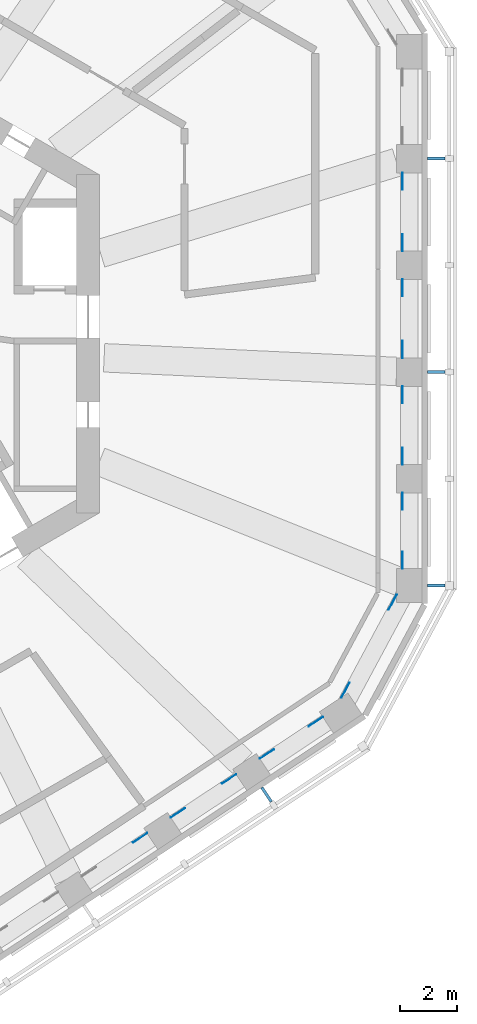
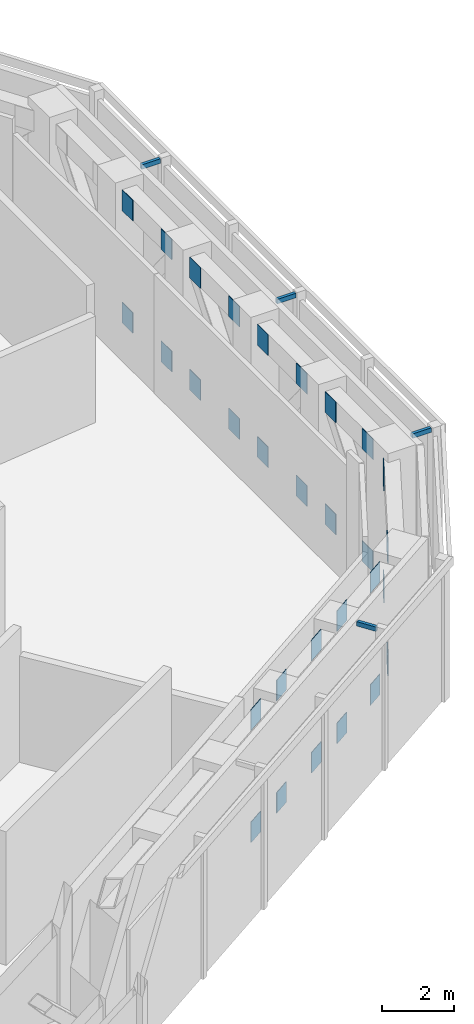
# One storey, part 12 of 15: 34 discrete accessories.
"""IFC4 building model written with IfcOpenShell, lengths in metres."""

import ifcopenshell
import ifcopenshell.guid

model = None  # the IFC model being written
_history = None  # IfcOwnerHistory: only IFC2X3 demands one
_inside = {}  # id of a spatial element -> (the spatial element, [elements in it])
_under = {}  # id of a project, library or spatial element -> (it, [spatial elements below it])
_declared = {}  # id of a project -> (the project, [libraries it declares])
_typed = {}  # id of a type object -> (the type object, [elements of that type])
_made_of = {}  # id of a material, layer set ... -> (it, [elements and type objects made of it])


def new_model(schema):
    """Start an empty IFC model of exactly this schema.

    Asked for "IFC4X3", IfcOpenShell would pick the latest addendum, in which some entities
    have other attributes; the version numbers below select the first issue.
    IFC2X3 requires an IfcOwnerHistory on every rooted entity: one is made here for all.
    """
    global model, _history
    if schema == "IFC4X3":
        model = ifcopenshell.file(schema_version=(4, 3, 0, 0))
    else:
        model = ifcopenshell.file(schema=schema)
    _inside.clear()
    _under.clear()
    _declared.clear()
    _typed.clear()
    _made_of.clear()
    _history = None
    if model.schema == "IFC2X3":
        org = make("IfcOrganization", Name="unknown")
        user = make(
            "IfcPersonAndOrganization",
            ThePerson=make("IfcPerson", FamilyName="unknown"),
            TheOrganization=org,
        )
        app = make(
            "IfcApplication",
            ApplicationDeveloper=org,
            Version="unknown",
            ApplicationFullName="unknown",
            ApplicationIdentifier="unknown",
        )
        _history = make(
            "IfcOwnerHistory",
            OwningUser=user,
            OwningApplication=app,
            ChangeAction="ADDED",
            CreationDate=0,
        )
    return model


def make(cls, **values):
    """One entity of the class cls with the attributes given. An attribute that is None is left unset."""
    return model.create_entity(
        cls, **{name: value for name, value in values.items() if value is not None}
    )


def rooted(cls, **values):
    """An entity with a GlobalId (a new one), such as an element, a storey or a relation."""
    return make(cls, GlobalId=ifcopenshell.guid.new(), OwnerHistory=_history, **values)


def si_unit(unit_type, name, prefix=None):
    """IfcSIUnit, for example si_unit("LENGTHUNIT", "METRE", prefix="MILLI")."""
    return make("IfcSIUnit", UnitType=unit_type, Prefix=prefix, Name=name)


def assignment(units):
    """IfcUnitAssignment: the units of a project."""
    return None if units is None else make("IfcUnitAssignment", Units=units)


def point(xyz):
    """IfcCartesianPoint."""
    return None if xyz is None else make("IfcCartesianPoint", Coordinates=xyz)


def direction(xyz):
    """IfcDirection."""
    return None if xyz is None else make("IfcDirection", DirectionRatios=xyz)


def frame(location, z_axis=None, x_axis=None):
    """IfcAxis2Placement3D, a coordinate frame: its origin and axes. An axis left out is left unset."""
    return make(
        "IfcAxis2Placement3D",
        Location=point(location),
        Axis=direction(z_axis),
        RefDirection=direction(x_axis),
    )


def frame_2d(location, x_axis=None):
    """IfcAxis2Placement2D, a coordinate frame in the plane: its origin and x axis."""
    return make(
        "IfcAxis2Placement2D", Location=point(location), RefDirection=direction(x_axis)
    )


def origin():
    """The frame at (0, 0, 0) with its axes left unset."""
    return frame((0.0, 0.0, 0.0))


def origin_2d():
    """The frame at (0, 0) in the plane with its x axis left unset."""
    return frame_2d((0.0, 0.0))


def place(relative_to, where):
    """IfcLocalPlacement: puts the frame where relative to a parent placement (None: the world)."""
    return make(
        "IfcLocalPlacement", PlacementRelTo=relative_to, RelativePlacement=where
    )


def context(
    kind, dimensions, precision=None, world=None, true_north=None, identifier=None
):
    """IfcGeometricRepresentationContext, for example the 3D "Model" context."""
    return make(
        "IfcGeometricRepresentationContext",
        ContextIdentifier=identifier,
        ContextType=kind,
        CoordinateSpaceDimension=dimensions,
        Precision=precision,
        WorldCoordinateSystem=world,
        TrueNorth=true_north,
    )


def subcontext(parent, identifier, kind, view, scale=None):
    """IfcGeometricRepresentationSubContext, for example "Body" below "Model"."""
    return make(
        "IfcGeometricRepresentationSubContext",
        ContextIdentifier=identifier,
        ContextType=kind,
        ParentContext=parent,
        TargetScale=scale,
        TargetView=view,
    )


def project(units=None, contexts=None):
    """IfcProject with its units and contexts."""
    return rooted(
        "IfcProject",
        Name="project",
        RepresentationContexts=contexts,
        UnitsInContext=assignment(units),
    )


def spatial(cls, under=None, at=None, **own):
    """A site, building, storey or space (cls), placed at a placement, below another one or the project."""
    s = rooted(cls, ObjectPlacement=at, **own)
    if under is not None:
        _under.setdefault(under.id(), (under, []))[1].append(s)
    return s


def profile(cls, at=None, kind="AREA", **sizes):
    """A parametric profile (cls). Its sizes go by their IFC names, for example OverallWidth=200.0."""
    return make(cls, ProfileType=kind, Position=at, **sizes)


def rectangle(**sizes):
    """IfcRectangleProfileDef."""
    return profile("IfcRectangleProfileDef", **sizes)


def extrude(swept, where, along, depth):
    """IfcExtrudedAreaSolid: the profile swept, set in the frame where, extruded along a direction by depth."""
    return make(
        "IfcExtrudedAreaSolid",
        SweptArea=swept,
        Position=where,
        ExtrudedDirection=direction(along),
        Depth=depth,
    )


def shape(context_of_items, identifier, shape_type, items):
    """IfcShapeRepresentation: the items that make up one representation, for example the "Body"."""
    return make(
        "IfcShapeRepresentation",
        ContextOfItems=context_of_items,
        RepresentationIdentifier=identifier,
        RepresentationType=shape_type,
        Items=items,
    )


def material(Name=None, Category=None):
    """IfcMaterial."""
    return make("IfcMaterial", Name=Name, Category=Category)


def layer(
    of_material, thickness, ventilated=None, Name=None, Category=None, Priority=None
):
    """IfcMaterialLayer: one layer of a wall or slab, of a material (None: an air gap)."""
    return make(
        "IfcMaterialLayer",
        Material=of_material,
        LayerThickness=thickness,
        IsVentilated=ventilated,
        Name=Name,
        Category=Category,
        Priority=Priority,
    )


def layer_set(layers, Name=None):
    """IfcMaterialLayerSet."""
    return make("IfcMaterialLayerSet", MaterialLayers=layers, LayerSetName=Name)


def made_of(thing, what):
    """Note that an element or type object is made of a material, layer set ...; save() writes the relation."""
    if what is not None:
        _made_of.setdefault(what.id(), (what, []))[1].append(thing)
    return thing


def type_object(cls, material=None, **own):
    """A type object (cls), such as IfcWallType, which elements share."""
    return made_of(rooted(cls, **own), material)


def element(
    cls,
    number,
    at=None,
    inside=None,
    cuts=None,
    type_object=None,
    material=None,
    context=None,
    identifier="Body",
    shape_type=None,
    held_by="IfcProductDefinitionShape",
    body=None,
    shapes=None,
    **own,
):
    """One element of the class cls, such as IfcWall. Its Tag is "e" and its number.

    at: its placement. inside: the storey or other place that contains it. cuts: it is an
    opening in that element (IfcRelVoidsElement). A single representation is given by context,
    identifier, shape_type and body (its items); several are given by shapes. held_by: the class
    of the entity that holds the representations. save() writes the other relations.
    """
    e = rooted(cls, Tag="e%d" % number, ObjectPlacement=at, **own)
    if body is not None:
        shapes = [shape(context, identifier, shape_type, body)]
    if shapes is not None:
        e.Representation = make(held_by, Representations=shapes)
    if inside is not None:
        _inside.setdefault(inside.id(), (inside, []))[1].append(e)
    if cuts is not None:
        rooted(
            "IfcRelVoidsElement", RelatingBuildingElement=cuts, RelatedOpeningElement=e
        )
    if type_object is not None:
        _typed.setdefault(type_object.id(), (type_object, []))[1].append(e)
    return made_of(e, material)


def aggregate(whole, parts):
    """IfcRelAggregates: a whole, such as a stair, and the parts it consists of."""
    return rooted("IfcRelAggregates", RelatingObject=whole, RelatedObjects=parts)


def save(model, path):
    """Write the relations noted so far, then the file.

    IfcRelAggregates (storeys below a building ...), IfcRelContainedInSpatialStructure (elements
    in a storey), IfcRelDefinesByType, IfcRelAssociatesMaterial and IfcRelDeclares: one each for
    every whole, place, type object, material and project.
    """
    for whole, parts in _under.values():
        aggregate(whole, parts)
    for where, things in _inside.values():
        rooted(
            "IfcRelContainedInSpatialStructure",
            RelatedElements=things,
            RelatingStructure=where,
        )
    for kind, things in _typed.values():
        rooted("IfcRelDefinesByType", RelatedObjects=things, RelatingType=kind)
    for what, things in _made_of.values():
        rooted("IfcRelAssociatesMaterial", RelatedObjects=things, RelatingMaterial=what)
    for by, libraries in _declared.values():
        rooted("IfcRelDeclares", RelatingContext=by, RelatedDefinitions=libraries)
    model.write(path)


model = new_model("IFC4")

# Units and contexts
model_context = context("Model", 3, precision=1e-05, world=origin(), true_north=direction((0.0, 1.0)))
body_context = subcontext(model_context, "Body", "Model", "MODEL_VIEW")
ifc_project = project(units=[si_unit("LENGTHUNIT", "METRE"), si_unit("AREAUNIT", "SQUARE_METRE"), si_unit("VOLUMEUNIT", "CUBIC_METRE"), si_unit("PLANEANGLEUNIT", "RADIAN"), si_unit("MASSUNIT", "GRAM", prefix="KILO")], contexts=[model_context])

# Site, building, storey
site_placement = place(None, origin())
site = spatial("IfcSite", under=ifc_project, at=site_placement, CompositionType="ELEMENT")
building_placement = place(site_placement, origin())
building = spatial("IfcBuilding", under=site, at=building_placement, Name="Vanh Sen Convention Tower", CompositionType="ELEMENT")
storey_placement = place(building_placement, frame((0.0, 0.0, 205.800048828125)))
storey = spatial("IfcBuildingStorey", under=building, at=storey_placement, Name="L51", CompositionType="ELEMENT", Elevation=205.800048828125)

# Discrete accessories
ifc_material_1 = material(Name="Steel S355", Category="steel")
ifc_layer = layer(ifc_material_1, 0.02001953125)
ifc_layer_set = layer_set([ifc_layer], Name="Steel S355")
discrete_accessory_type_1 = type_object("IfcDiscreteAccessoryType", Name="Belt truss gusset plate 600 x 700 x 20", PredefinedType="USERDEFINED", material=ifc_layer_set)
for number, where, z_axis, x_axis, name in (
    (1, (20.965087890625, -7.60595703125, 0.0), (0.0, 0.0, 1.0), (0.0, 1.0, 0.0), "GUSSET PLATE belt truss chord bottom 01 L51 start"),
    (2, (20.965087890625, -5.5419921875, 0.0), (0.0, 0.0, 1.0), (0.0, -1.0, 0.0), "GUSSET PLATE belt truss chord bottom 01 L51 end"),
    (3, (20.965087890625, -7.60595703125, 3.7998046875), (0.0, 0.0, 1.0), (0.0, 1.0, 0.0), "GUSSET PLATE belt truss chord top 01 L51 start"),
    (4, (20.965087890625, -5.5419921875, 3.7998046875), (0.0, 0.0, 1.0), (0.0, -1.0, 0.0), "GUSSET PLATE belt truss chord top 01 L51 end"),
    (5, (20.965087890625, -3.951904296875, 0.0), (0.0, 0.0, 1.0), (0.0, 1.0, 0.0), "GUSSET PLATE belt truss chord bottom 02 L51 start"),
    (6, (20.965087890625, -1.787841796875, 0.0), (0.0, 0.0, 1.0), (0.0, -1.0, 0.0), "GUSSET PLATE belt truss chord bottom 02 L51 end"),
    (7, (20.965087890625, -3.951904296875, 3.7998046875), (0.0, 0.0, 1.0), (0.0, 1.0, 0.0), "GUSSET PLATE belt truss chord top 02 L51 start"),
    (8, (20.965087890625, -1.787841796875, 3.7998046875), (0.0, 0.0, 1.0), (0.0, -1.0, 0.0), "GUSSET PLATE belt truss chord top 02 L51 end"),
    (9, (20.965087890625, -0.19775390625, 0.0), (0.0, 0.0, 1.0), (0.0, 1.0, 0.0), "GUSSET PLATE belt truss chord bottom 03 L51 start"),
    (10, (20.965087890625, 1.96630859375, 0.0), (0.0, 0.0, 1.0), (0.0, -1.0, 0.0), "GUSSET PLATE belt truss chord bottom 03 L51 end"),
    (11, (20.965087890625, -0.19775390625, 3.7998046875), (0.0, 0.0, 1.0), (0.0, 1.0, 0.0), "GUSSET PLATE belt truss chord top 03 L51 start"),
    (12, (20.965087890625, 1.96630859375, 3.7998046875), (0.0, 0.0, 1.0), (0.0, -1.0, 0.0), "GUSSET PLATE belt truss chord top 03 L51 end"),
    (13, (20.965087890625, 3.556396484375, 0.0), (0.0, 0.0, 1.0), (0.0, 1.0, 0.0), "GUSSET PLATE belt truss chord bottom 04 L51 start"),
    (14, (20.965087890625, 5.720458984375, 0.0), (0.0, 0.0, 1.0), (0.0, -1.0, 0.0), "GUSSET PLATE belt truss chord bottom 04 L51 end"),
    (15, (20.965087890625, 3.556396484375, 3.7998046875), (0.0, 0.0, 1.0), (0.0, 1.0, 0.0), "GUSSET PLATE belt truss chord top 04 L51 start"),
    (16, (20.965087890625, 5.720458984375, 3.7998046875), (0.0, 0.0, 1.0), (0.0, -1.0, 0.0), "GUSSET PLATE belt truss chord top 04 L51 end"),
    (17, (11.736328125, -17.373291015625, 0.0), (0.0, 0.0, 1.0), (-0.833877152158, -0.551950083892, 0.0), "GUSSET PLATE belt truss chord bottom 33 L51 end"),
    (18, (11.736328125, -17.373291015625, 3.7998046875), (0.0, 0.0, 1.0), (-0.833877152158, -0.551950083892, 0.0), "GUSSET PLATE belt truss chord top 33 L51 end"),
    (19, (13.06201171875, -16.49560546875, 0.0), (0.0, 0.0, 1.0), (0.833889675294, 0.551931163677, 0.0), "GUSSET PLATE belt truss chord bottom 34 L51 start"),
    (20, (14.86669921875, -15.30126953125, 0.0), (0.0, 0.0, 1.0), (-0.833889675294, -0.551931163677, 0.0), "GUSSET PLATE belt truss chord bottom 34 L51 end"),
    (21, (13.06201171875, -16.49560546875, 3.7998046875), (0.0, 0.0, 1.0), (0.833889675294, 0.551931163677, 0.0), "GUSSET PLATE belt truss chord top 34 L51 start"),
    (22, (14.86669921875, -15.30126953125, 3.7998046875), (0.0, 0.0, 1.0), (-0.833889675294, -0.551931163677, 0.0), "GUSSET PLATE belt truss chord top 34 L51 end"),
    (23, (16.192626953125, -14.423583984375, 0.0), (0.0, 0.0, 1.0), (0.833889675294, 0.551931163677, 0.0), "GUSSET PLATE belt truss chord bottom 35 L51 start"),
    (24, (17.913818359375, -13.284423828125, 0.0), (0.0, 0.0, 1.0), (-0.833889675294, -0.551931163677, 0.0), "GUSSET PLATE belt truss chord bottom 35 L51 end"),
    (25, (16.192626953125, -14.423583984375, 3.7998046875), (0.0, 0.0, 1.0), (0.833889675294, 0.551931163677, 0.0), "GUSSET PLATE belt truss chord top 35 L51 start"),
    (26, (17.913818359375, -13.284423828125, 3.7998046875), (0.0, 0.0, 1.0), (-0.833889675294, -0.551931163677, 0.0), "GUSSET PLATE belt truss chord top 35 L51 end"),
    (27, (18.956787109375, -12.179443359375, 0.0), (0.0, 0.0, 1.0), (0.473321204628, 0.880889912105, 0.0), "GUSSET PLATE belt truss chord bottom 36 L51 start"),
    (28, (20.619140625, -9.08544921875, 0.0), (0.0, 0.0, 1.0), (-0.473321204628, -0.880889912105, 0.0), "GUSSET PLATE belt truss chord bottom 36 L51 end"),
    (29, (18.956787109375, -12.179443359375, 3.7998046875), (0.0, 0.0, 1.0), (0.473321204628, 0.880889912105, 0.0), "GUSSET PLATE belt truss chord top 36 L51 start"),
    (30, (20.619140625, -9.08544921875, 3.7998046875), (0.0, 0.0, 1.0), (-0.473321204628, -0.880889912105, 0.0), "GUSSET PLATE belt truss chord top 36 L51 end"),
):
    element("IfcDiscreteAccessory", number, at=place(storey_placement, frame(where, z_axis=z_axis, x_axis=x_axis)), inside=storey, type_object=discrete_accessory_type_1, Name=name, ObjectType="GUSSET PLATE", PredefinedType="USERDEFINED", context=body_context, shape_type="SweptSolid", body=[
        extrude(rectangle(XDim=0.60009765625, YDim=0.02001953125, at=origin_2d()), origin(), (0.0, 0.0, 1.0), 0.699951171875),
    ])
ifc_material_2 = material(Name="Steel S355", Category="steel")
discrete_accessory_type_2 = type_object("IfcDiscreteAccessoryType", Name="Fin bracket 100 x 150", PredefinedType="BRACKET", material=ifc_material_2)
for number, where, z_axis, x_axis, name in (
    (31, (22.14990234375, -8.5009765625, 4.60009765625), (0.0, 0.0, 1.0), (1.0, 0.0, 0.0), "Fin bracket E-1 L51"),
    (32, (22.14990234375, -0.992919921875, 4.60009765625), (0.0, 0.0, 1.0), (1.0, 0.0, 0.0), "Fin bracket E-3 L51"),
    (33, (22.14990234375, 6.515380859375, 4.60009765625), (0.0, 0.0, 1.0), (1.0, 0.0, 0.0), "Fin bracket E-5 L51"),
    (34, (16.18359375, -15.8505859375, 4.60009765625), (0.0, 0.0, 1.0), (0.551936985312, -0.833885822067, 0.0), "Fin bracket SE-5 L51"),
):
    element("IfcDiscreteAccessory", number, at=place(storey_placement, frame(where, z_axis=z_axis, x_axis=x_axis)), inside=storey, type_object=discrete_accessory_type_2, Name=name, PredefinedType="BRACKET", context=body_context, shape_type="SweptSolid", body=[
        extrude(rectangle(XDim=0.60009765625, YDim=0.10009765625, at=origin_2d()), origin(), (0.0, 0.0, 1.0), 0.14990234375),
    ])

save(model, "model.ifc")
